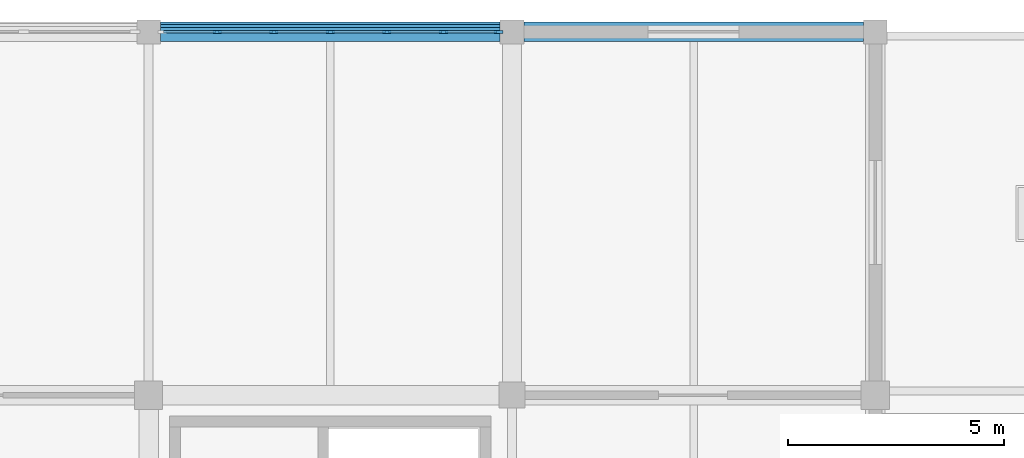
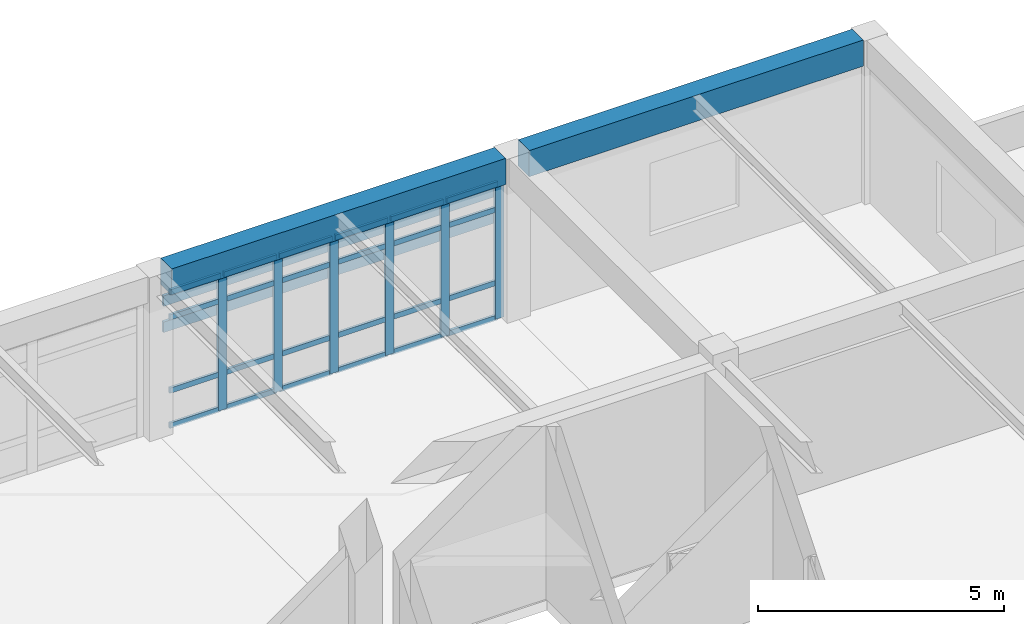
# One storey, part 10 of 18: 32 members, 2 beams, 1 element without a shape of its own.
"""IFC4 building model written with IfcOpenShell, lengths in metres."""

from ifc_helpers import new_model, si_unit, direction, frame, origin, origin_2d, place, context, subcontext, project, spatial, rectangle, extrude, material, layer, layer_set, material_profile, profile_set, type_object, element, aggregate, save


model = new_model("IFC4")

# Units and contexts
model_context = context("Model", 3, precision=1e-05, world=origin(), true_north=direction((0.0, 1.0)))
body_context = subcontext(model_context, "Body", "Model", "MODEL_VIEW")
ifc_project = project(units=[si_unit("LENGTHUNIT", "METRE"), si_unit("AREAUNIT", "SQUARE_METRE"), si_unit("VOLUMEUNIT", "CUBIC_METRE"), si_unit("PLANEANGLEUNIT", "RADIAN"), si_unit("MASSUNIT", "GRAM", prefix="KILO")], contexts=[model_context])

# Site, building, storey
site_placement = place(None, origin())
site = spatial("IfcSite", under=ifc_project, at=site_placement, CompositionType="ELEMENT")
building_placement = place(site_placement, origin())
building = spatial("IfcBuilding", under=site, at=building_placement, Name="Porcellanite Civic Hall", CompositionType="ELEMENT")
storey_placement = place(building_placement, frame((0.0, 0.0, 23.39990234375)))
storey = spatial("IfcBuildingStorey", under=building, at=storey_placement, Name="L05", CompositionType="ELEMENT", Elevation=23.39990234375)

# Beams
ifc_material_1 = material(Name="Concrete N50 (50 MPa)", Category="concrete")
ifc_material_profile_1 = material_profile(ifc_material_1, rectangle(XDim=0.449951171875, YDim=0.64990234375, at=origin_2d()), Name="RC-450x650")
ifc_profile_set_1 = profile_set([ifc_material_profile_1], Name="Concrete N50 (50 MPa)")
beam_type = type_object("IfcBeamType", Name="BM-RC650", PredefinedType="SPANDREL", material=ifc_profile_set_1)
beam_1_placement = place(storey_placement, frame((109.474609375, 117.60009765625, 3.7451171875), z_axis=(1.0, 0.0, 0.0), x_axis=(0.0, 1.0, 0.0)))
element("IfcBeam", 1, at=beam_1_placement, inside=storey, type_object=beam_type, Name="Beam X L05 14-15", PredefinedType="SPANDREL", context=body_context, shape_type="SweptSolid", body=[
    extrude(rectangle(XDim=0.449951171875, YDim=0.64990234375, at=origin_2d()), origin(), (0.0, 0.0, 1.0), 7.850830078125),
])
beam_2_placement = place(storey_placement, frame((117.87451171875, 117.60009765625, 3.7451171875), z_axis=(1.0, 0.0, 0.0), x_axis=(0.0, 1.0, 0.0)))
element("IfcBeam", 2, at=beam_2_placement, inside=storey, type_object=beam_type, Name="Beam X L05 15-15", PredefinedType="SPANDREL", context=body_context, shape_type="SweptSolid", body=[
    extrude(rectangle(XDim=0.449951171875, YDim=0.64990234375, at=origin_2d()), origin(), (0.0, 0.0, 1.0), 7.85107421875),
])

# Curtain wall, members
ifc_material_2 = material(Name="Anodised aluminium and solar laminated glass", Category="aluminium")
ifc_layer = layer(ifc_material_2, 0.179931640625)
ifc_layer_set = layer_set([ifc_layer], Name="Anodised aluminium and solar laminated glass")
curtain_wall_type = type_object("IfcCurtainWallType", Name="CW-SYS01", PredefinedType="NOTDEFINED", material=ifc_layer_set)
curtain_wall_placement = place(storey_placement, origin())
curtain_wall = element("IfcCurtainWall", 3, at=curtain_wall_placement, inside=storey, type_object=curtain_wall_type, Name="Curtain wall CW-269", PredefinedType="NOTDEFINED")
ifc_material_3 = material(Name="Anodised aluminium 6063-T6", Category="aluminium")
ifc_material_profile_2 = material_profile(ifc_material_3, rectangle(XDim=0.070068359375, YDim=0.199951171875, at=origin_2d()), Name="AL-70x200")
ifc_profile_set_2 = profile_set([ifc_material_profile_2], Name="Anodised aluminium 6063-T6")
member_type_1 = type_object("IfcMemberType", Name="CWM-05", PredefinedType="MULLION", material=ifc_profile_set_2)
member_1_placement = place(storey_placement, frame((110.783935546875, 117.60009765625, 0.0), z_axis=(0.0, 0.0, 1.0), x_axis=(0.0, 1.0, 0.0)))
member_1 = element("IfcMember", 4, at=member_1_placement, type_object=member_type_1, Name="CW-269 mullion 2", PredefinedType="MULLION", context=body_context, shape_type="SweptSolid", body=[
    extrude(rectangle(XDim=0.070068359375, YDim=0.199951171875, at=origin_2d()), origin(), (0.0, 0.0, 1.0), 3.3701171875),
])
member_2_placement = place(storey_placement, frame((112.092041015625, 117.60009765625, 0.0), z_axis=(0.0, 0.0, 1.0), x_axis=(0.0, 1.0, 0.0)))
member_2 = element("IfcMember", 5, at=member_2_placement, type_object=member_type_1, Name="CW-269 mullion 3", PredefinedType="MULLION", context=body_context, shape_type="SweptSolid", body=[
    extrude(rectangle(XDim=0.070068359375, YDim=0.199951171875, at=origin_2d()), origin(), (0.0, 0.0, 1.0), 3.3701171875),
])
member_3_placement = place(storey_placement, frame((113.39990234375, 117.60009765625, 0.0), z_axis=(0.0, 0.0, 1.0), x_axis=(0.0, 1.0, 0.0)))
member_3 = element("IfcMember", 6, at=member_3_placement, type_object=member_type_1, Name="CW-269 mullion 4", PredefinedType="MULLION", context=body_context, shape_type="SweptSolid", body=[
    extrude(rectangle(XDim=0.070068359375, YDim=0.199951171875, at=origin_2d()), origin(), (0.0, 0.0, 1.0), 3.3701171875),
])
member_4_placement = place(storey_placement, frame((114.7080078125, 117.60009765625, 0.0), z_axis=(0.0, 0.0, 1.0), x_axis=(0.0, 1.0, 0.0)))
member_4 = element("IfcMember", 7, at=member_4_placement, type_object=member_type_1, Name="CW-269 mullion 5", PredefinedType="MULLION", context=body_context, shape_type="SweptSolid", body=[
    extrude(rectangle(XDim=0.070068359375, YDim=0.199951171875, at=origin_2d()), origin(), (0.0, 0.0, 1.0), 3.3701171875),
])
member_5_placement = place(storey_placement, frame((116.01611328125, 117.60009765625, 0.0), z_axis=(0.0, 0.0, 1.0), x_axis=(0.0, 1.0, 0.0)))
member_5 = element("IfcMember", 8, at=member_5_placement, type_object=member_type_1, Name="CW-269 mullion 6", PredefinedType="MULLION", context=body_context, shape_type="SweptSolid", body=[
    extrude(rectangle(XDim=0.070068359375, YDim=0.199951171875, at=origin_2d()), origin(), (0.0, 0.0, 1.0), 3.3701171875),
])
member_6_placement = place(storey_placement, frame((117.2890625, 117.60009765625, 0.0), z_axis=(0.0, 0.0, 1.0), x_axis=(0.0, 1.0, 0.0)))
member_6 = element("IfcMember", 9, at=member_6_placement, type_object=member_type_1, Name="CW-269 mullion 7", PredefinedType="MULLION", context=body_context, shape_type="SweptSolid", body=[
    extrude(rectangle(XDim=0.070068359375, YDim=0.199951171875, at=origin_2d()), origin(), (0.0, 0.0, 1.0), 3.3701171875),
])
ifc_material_4 = material(Name="Anodised aluminium 6063-T6", Category="aluminium")
ifc_material_profile_3 = material_profile(ifc_material_4, rectangle(XDim=0.06005859375, YDim=0.1298828125, at=origin_2d()), Name="AL-60x130")
ifc_profile_set_3 = profile_set([ifc_material_profile_3], Name="Anodised aluminium 6063-T6")
member_type_2 = type_object("IfcMemberType", Name="CWT-03", PredefinedType="USERDEFINED", material=ifc_profile_set_3)
member_7_placement = place(storey_placement, frame((109.5458984375, 117.60009765625, 0.030029296875), z_axis=(1.0, 0.0, 0.0), x_axis=(0.0, 1.0, 0.0)))
member_7 = element("IfcMember", 10, at=member_7_placement, type_object=member_type_2, Name="CW-269 transom 1.1", ObjectType="TRANSOM", PredefinedType="USERDEFINED", context=body_context, shape_type="SweptSolid", body=[
    extrude(rectangle(XDim=0.06005859375, YDim=0.1298828125, at=origin_2d()), origin(), (0.0, 0.0, 1.0), 1.203125),
])
member_8_placement = place(storey_placement, frame((109.5458984375, 117.60009765625, 0.900146484375), z_axis=(1.0, 0.0, 0.0), x_axis=(0.0, 1.0, 0.0)))
member_8 = element("IfcMember", 11, at=member_8_placement, type_object=member_type_2, Name="CW-269 transom 1.2", ObjectType="TRANSOM", PredefinedType="USERDEFINED", context=body_context, shape_type="SweptSolid", body=[
    extrude(rectangle(XDim=0.06005859375, YDim=0.1298828125, at=origin_2d()), origin(), (0.0, 0.0, 1.0), 1.203125),
])
member_9_placement = place(storey_placement, frame((109.5458984375, 117.60009765625, 2.72021484375), z_axis=(1.0, 0.0, 0.0), x_axis=(0.0, 1.0, 0.0)))
member_9 = element("IfcMember", 12, at=member_9_placement, type_object=member_type_2, Name="CW-269 transom 1.3", ObjectType="TRANSOM", PredefinedType="USERDEFINED", context=body_context, shape_type="SweptSolid", body=[
    extrude(rectangle(XDim=0.06005859375, YDim=0.1298828125, at=origin_2d()), origin(), (0.0, 0.0, 1.0), 1.203125),
])
member_10_placement = place(storey_placement, frame((109.5458984375, 117.60009765625, 3.340087890625), z_axis=(1.0, 0.0, 0.0), x_axis=(0.0, 1.0, 0.0)))
member_10 = element("IfcMember", 13, at=member_10_placement, type_object=member_type_2, Name="CW-269 transom 1.4", ObjectType="TRANSOM", PredefinedType="USERDEFINED", context=body_context, shape_type="SweptSolid", body=[
    extrude(rectangle(XDim=0.06005859375, YDim=0.1298828125, at=origin_2d()), origin(), (0.0, 0.0, 1.0), 1.203125),
])
member_11_placement = place(storey_placement, frame((110.819091796875, 117.60009765625, 0.030029296875), z_axis=(1.0, 0.0, 0.0), x_axis=(0.0, 1.0, 0.0)))
member_11 = element("IfcMember", 14, at=member_11_placement, type_object=member_type_2, Name="CW-269 transom 2.1", ObjectType="TRANSOM", PredefinedType="USERDEFINED", context=body_context, shape_type="SweptSolid", body=[
    extrude(rectangle(XDim=0.06005859375, YDim=0.1298828125, at=origin_2d()), origin(), (0.0, 0.0, 1.0), 1.23779296875),
])
member_12_placement = place(storey_placement, frame((110.819091796875, 117.60009765625, 0.900146484375), z_axis=(1.0, 0.0, 0.0), x_axis=(0.0, 1.0, 0.0)))
member_12 = element("IfcMember", 15, at=member_12_placement, type_object=member_type_2, Name="CW-269 transom 2.2", ObjectType="TRANSOM", PredefinedType="USERDEFINED", context=body_context, shape_type="SweptSolid", body=[
    extrude(rectangle(XDim=0.06005859375, YDim=0.1298828125, at=origin_2d()), origin(), (0.0, 0.0, 1.0), 1.23779296875),
])
member_13_placement = place(storey_placement, frame((110.819091796875, 117.60009765625, 2.72021484375), z_axis=(1.0, 0.0, 0.0), x_axis=(0.0, 1.0, 0.0)))
member_13 = element("IfcMember", 16, at=member_13_placement, type_object=member_type_2, Name="CW-269 transom 2.3", ObjectType="TRANSOM", PredefinedType="USERDEFINED", context=body_context, shape_type="SweptSolid", body=[
    extrude(rectangle(XDim=0.06005859375, YDim=0.1298828125, at=origin_2d()), origin(), (0.0, 0.0, 1.0), 1.23779296875),
])
member_14_placement = place(storey_placement, frame((110.819091796875, 117.60009765625, 3.340087890625), z_axis=(1.0, 0.0, 0.0), x_axis=(0.0, 1.0, 0.0)))
member_14 = element("IfcMember", 17, at=member_14_placement, type_object=member_type_2, Name="CW-269 transom 2.4", ObjectType="TRANSOM", PredefinedType="USERDEFINED", context=body_context, shape_type="SweptSolid", body=[
    extrude(rectangle(XDim=0.06005859375, YDim=0.1298828125, at=origin_2d()), origin(), (0.0, 0.0, 1.0), 1.23779296875),
])
member_15_placement = place(storey_placement, frame((112.126953125, 117.60009765625, 0.030029296875), z_axis=(1.0, 0.0, 0.0), x_axis=(0.0, 1.0, 0.0)))
member_15 = element("IfcMember", 18, at=member_15_placement, type_object=member_type_2, Name="CW-269 transom 3.1", ObjectType="TRANSOM", PredefinedType="USERDEFINED", context=body_context, shape_type="SweptSolid", body=[
    extrude(rectangle(XDim=0.06005859375, YDim=0.1298828125, at=origin_2d()), origin(), (0.0, 0.0, 1.0), 1.238037109375),
])
member_16_placement = place(storey_placement, frame((112.126953125, 117.60009765625, 0.900146484375), z_axis=(1.0, 0.0, 0.0), x_axis=(0.0, 1.0, 0.0)))
member_16 = element("IfcMember", 19, at=member_16_placement, type_object=member_type_2, Name="CW-269 transom 3.2", ObjectType="TRANSOM", PredefinedType="USERDEFINED", context=body_context, shape_type="SweptSolid", body=[
    extrude(rectangle(XDim=0.06005859375, YDim=0.1298828125, at=origin_2d()), origin(), (0.0, 0.0, 1.0), 1.238037109375),
])
member_17_placement = place(storey_placement, frame((112.126953125, 117.60009765625, 2.72021484375), z_axis=(1.0, 0.0, 0.0), x_axis=(0.0, 1.0, 0.0)))
member_17 = element("IfcMember", 20, at=member_17_placement, type_object=member_type_2, Name="CW-269 transom 3.3", ObjectType="TRANSOM", PredefinedType="USERDEFINED", context=body_context, shape_type="SweptSolid", body=[
    extrude(rectangle(XDim=0.06005859375, YDim=0.1298828125, at=origin_2d()), origin(), (0.0, 0.0, 1.0), 1.238037109375),
])
member_18_placement = place(storey_placement, frame((112.126953125, 117.60009765625, 3.340087890625), z_axis=(1.0, 0.0, 0.0), x_axis=(0.0, 1.0, 0.0)))
member_18 = element("IfcMember", 21, at=member_18_placement, type_object=member_type_2, Name="CW-269 transom 3.4", ObjectType="TRANSOM", PredefinedType="USERDEFINED", context=body_context, shape_type="SweptSolid", body=[
    extrude(rectangle(XDim=0.06005859375, YDim=0.1298828125, at=origin_2d()), origin(), (0.0, 0.0, 1.0), 1.238037109375),
])
member_19_placement = place(storey_placement, frame((113.43505859375, 117.60009765625, 0.030029296875), z_axis=(1.0, 0.0, 0.0), x_axis=(0.0, 1.0, 0.0)))
member_19 = element("IfcMember", 22, at=member_19_placement, type_object=member_type_2, Name="CW-269 transom 4.1", ObjectType="TRANSOM", PredefinedType="USERDEFINED", context=body_context, shape_type="SweptSolid", body=[
    extrude(rectangle(XDim=0.06005859375, YDim=0.1298828125, at=origin_2d()), origin(), (0.0, 0.0, 1.0), 1.238037109375),
])
member_20_placement = place(storey_placement, frame((113.43505859375, 117.60009765625, 0.900146484375), z_axis=(1.0, 0.0, 0.0), x_axis=(0.0, 1.0, 0.0)))
member_20 = element("IfcMember", 23, at=member_20_placement, type_object=member_type_2, Name="CW-269 transom 4.2", ObjectType="TRANSOM", PredefinedType="USERDEFINED", context=body_context, shape_type="SweptSolid", body=[
    extrude(rectangle(XDim=0.06005859375, YDim=0.1298828125, at=origin_2d()), origin(), (0.0, 0.0, 1.0), 1.238037109375),
])
member_21_placement = place(storey_placement, frame((113.43505859375, 117.60009765625, 2.72021484375), z_axis=(1.0, 0.0, 0.0), x_axis=(0.0, 1.0, 0.0)))
member_21 = element("IfcMember", 24, at=member_21_placement, type_object=member_type_2, Name="CW-269 transom 4.3", ObjectType="TRANSOM", PredefinedType="USERDEFINED", context=body_context, shape_type="SweptSolid", body=[
    extrude(rectangle(XDim=0.06005859375, YDim=0.1298828125, at=origin_2d()), origin(), (0.0, 0.0, 1.0), 1.238037109375),
])
member_22_placement = place(storey_placement, frame((113.43505859375, 117.60009765625, 3.340087890625), z_axis=(1.0, 0.0, 0.0), x_axis=(0.0, 1.0, 0.0)))
member_22 = element("IfcMember", 25, at=member_22_placement, type_object=member_type_2, Name="CW-269 transom 4.4", ObjectType="TRANSOM", PredefinedType="USERDEFINED", context=body_context, shape_type="SweptSolid", body=[
    extrude(rectangle(XDim=0.06005859375, YDim=0.1298828125, at=origin_2d()), origin(), (0.0, 0.0, 1.0), 1.238037109375),
])
member_23_placement = place(storey_placement, frame((114.742919921875, 117.60009765625, 0.030029296875), z_axis=(1.0, 0.0, 0.0), x_axis=(0.0, 1.0, 0.0)))
member_23 = element("IfcMember", 26, at=member_23_placement, type_object=member_type_2, Name="CW-269 transom 5.1", ObjectType="TRANSOM", PredefinedType="USERDEFINED", context=body_context, shape_type="SweptSolid", body=[
    extrude(rectangle(XDim=0.06005859375, YDim=0.1298828125, at=origin_2d()), origin(), (0.0, 0.0, 1.0), 1.238037109375),
])
member_24_placement = place(storey_placement, frame((114.742919921875, 117.60009765625, 0.900146484375), z_axis=(1.0, 0.0, 0.0), x_axis=(0.0, 1.0, 0.0)))
member_24 = element("IfcMember", 27, at=member_24_placement, type_object=member_type_2, Name="CW-269 transom 5.2", ObjectType="TRANSOM", PredefinedType="USERDEFINED", context=body_context, shape_type="SweptSolid", body=[
    extrude(rectangle(XDim=0.06005859375, YDim=0.1298828125, at=origin_2d()), origin(), (0.0, 0.0, 1.0), 1.238037109375),
])
member_25_placement = place(storey_placement, frame((114.742919921875, 117.60009765625, 2.72021484375), z_axis=(1.0, 0.0, 0.0), x_axis=(0.0, 1.0, 0.0)))
member_25 = element("IfcMember", 28, at=member_25_placement, type_object=member_type_2, Name="CW-269 transom 5.3", ObjectType="TRANSOM", PredefinedType="USERDEFINED", context=body_context, shape_type="SweptSolid", body=[
    extrude(rectangle(XDim=0.06005859375, YDim=0.1298828125, at=origin_2d()), origin(), (0.0, 0.0, 1.0), 1.238037109375),
])
member_26_placement = place(storey_placement, frame((114.742919921875, 117.60009765625, 3.340087890625), z_axis=(1.0, 0.0, 0.0), x_axis=(0.0, 1.0, 0.0)))
member_26 = element("IfcMember", 29, at=member_26_placement, type_object=member_type_2, Name="CW-269 transom 5.4", ObjectType="TRANSOM", PredefinedType="USERDEFINED", context=body_context, shape_type="SweptSolid", body=[
    extrude(rectangle(XDim=0.06005859375, YDim=0.1298828125, at=origin_2d()), origin(), (0.0, 0.0, 1.0), 1.238037109375),
])
member_27_placement = place(storey_placement, frame((116.051025390625, 117.60009765625, 0.030029296875), z_axis=(1.0, 0.0, 0.0), x_axis=(0.0, 1.0, 0.0)))
member_27 = element("IfcMember", 30, at=member_27_placement, type_object=member_type_2, Name="CW-269 transom 6.1", ObjectType="TRANSOM", PredefinedType="USERDEFINED", context=body_context, shape_type="SweptSolid", body=[
    extrude(rectangle(XDim=0.06005859375, YDim=0.1298828125, at=origin_2d()), origin(), (0.0, 0.0, 1.0), 1.202880859375),
])
member_28_placement = place(storey_placement, frame((116.051025390625, 117.60009765625, 0.900146484375), z_axis=(1.0, 0.0, 0.0), x_axis=(0.0, 1.0, 0.0)))
member_28 = element("IfcMember", 31, at=member_28_placement, type_object=member_type_2, Name="CW-269 transom 6.2", ObjectType="TRANSOM", PredefinedType="USERDEFINED", context=body_context, shape_type="SweptSolid", body=[
    extrude(rectangle(XDim=0.06005859375, YDim=0.1298828125, at=origin_2d()), origin(), (0.0, 0.0, 1.0), 1.202880859375),
])
member_29_placement = place(storey_placement, frame((116.051025390625, 117.60009765625, 2.72021484375), z_axis=(1.0, 0.0, 0.0), x_axis=(0.0, 1.0, 0.0)))
member_29 = element("IfcMember", 32, at=member_29_placement, type_object=member_type_2, Name="CW-269 transom 6.3", ObjectType="TRANSOM", PredefinedType="USERDEFINED", context=body_context, shape_type="SweptSolid", body=[
    extrude(rectangle(XDim=0.06005859375, YDim=0.1298828125, at=origin_2d()), origin(), (0.0, 0.0, 1.0), 1.202880859375),
])
member_30_placement = place(storey_placement, frame((116.051025390625, 117.60009765625, 3.340087890625), z_axis=(1.0, 0.0, 0.0), x_axis=(0.0, 1.0, 0.0)))
member_30 = element("IfcMember", 33, at=member_30_placement, type_object=member_type_2, Name="CW-269 transom 6.4", ObjectType="TRANSOM", PredefinedType="USERDEFINED", context=body_context, shape_type="SweptSolid", body=[
    extrude(rectangle(XDim=0.06005859375, YDim=0.1298828125, at=origin_2d()), origin(), (0.0, 0.0, 1.0), 1.202880859375),
])
aggregate(curtain_wall, [member_1, member_2, member_3, member_4, member_5, member_6, member_7, member_8, member_9, member_10, member_11, member_12, member_13, member_14, member_15, member_16, member_17, member_18, member_19, member_20, member_21, member_22, member_23, member_24, member_25, member_26, member_27, member_28, member_29, member_30])

# Members
ifc_material_5 = material(Name="Fluoropolymer bauxite-red aluminium 6063-T6", Category="aluminium")
ifc_material_profile_4 = material_profile(ifc_material_5, rectangle(XDim=0.070068359375, YDim=0.260009765625, at=origin_2d()), Name="AL-70x260")
ifc_profile_set_4 = profile_set([ifc_material_profile_4], Name="Fluoropolymer bauxite-red aluminium 6063-T6")
member_type_3 = type_object("IfcMemberType", Name="LV-BLD06", PredefinedType="USERDEFINED", material=ifc_profile_set_4)
for number, where, z_axis, x_axis, name in (
    (34, (109.474609375, 117.737060546875, 3.070068359375), (1.0, 0.0, 0.0), (0.0, 1.0, 0.0), "Cyclone sunshade louvre L05 N 13-13 1"),
    (35, (109.474609375, 117.737060546875, 2.420166015625), (1.0, 0.0, 0.0), (0.0, 1.0, 0.0), "Cyclone sunshade louvre L05 N 13-13 2"),
):
    element("IfcMember", number, at=place(storey_placement, frame(where, z_axis=z_axis, x_axis=x_axis)), inside=storey, type_object=member_type_3, Name=name, ObjectType="LOUVRE BLADE", PredefinedType="USERDEFINED", context=body_context, shape_type="SweptSolid", body=[
        extrude(rectangle(XDim=0.070068359375, YDim=0.260009765625, at=origin_2d()), origin(), (0.0, 0.0, 1.0), 7.850830078125),
    ])

save(model, "model.ifc")
